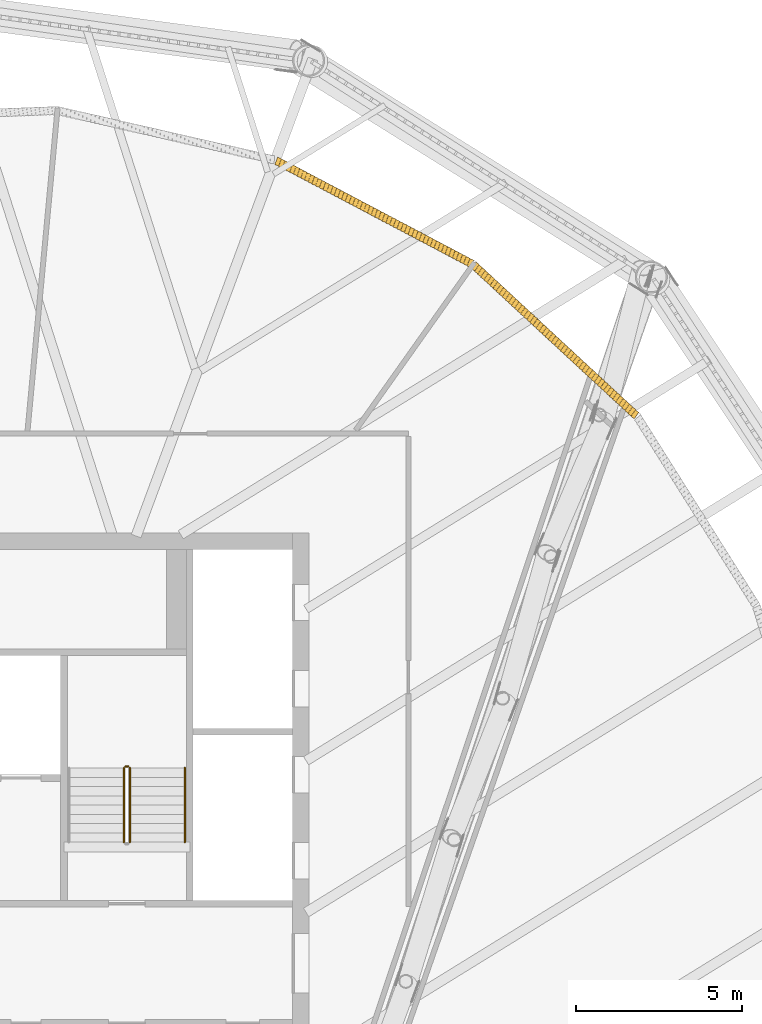
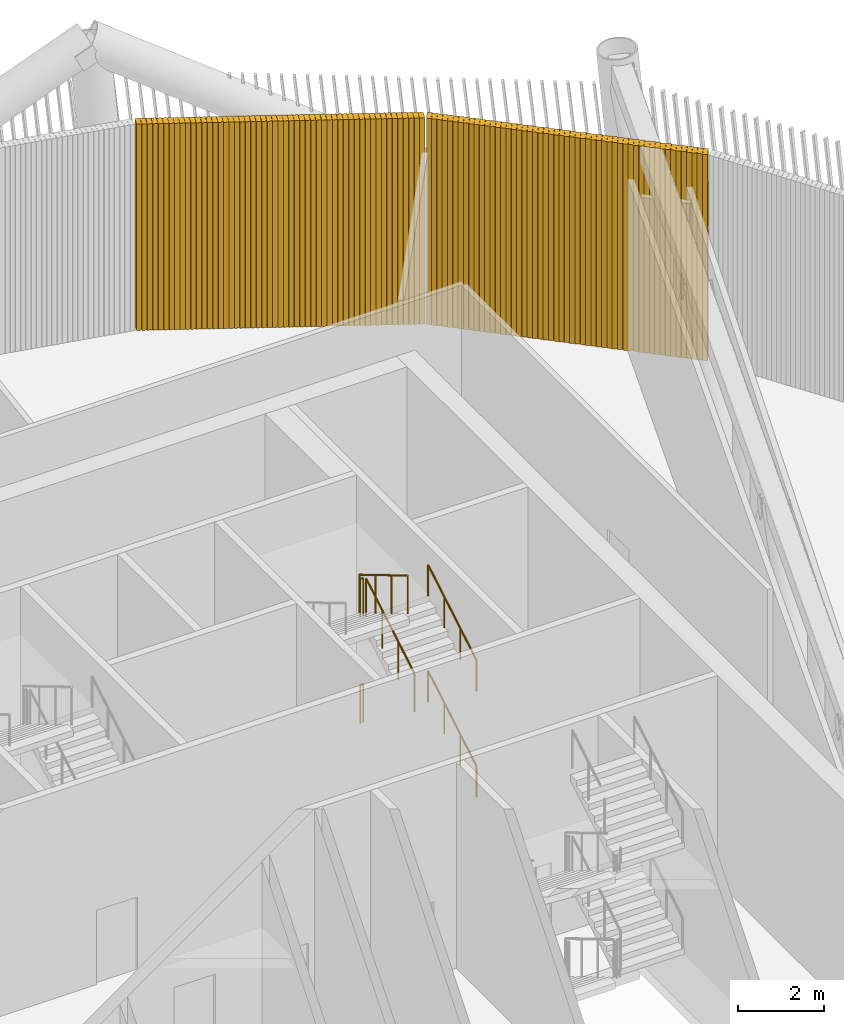
# One storey, part 36 of 40: 6 railings, 2 shading devices.
"""IFC4 building model written with IfcOpenShell, lengths in metres."""

import ifcopenshell
import ifcopenshell.guid

model = None  # the IFC model being written
_history = None  # IfcOwnerHistory: only IFC2X3 demands one
_inside = {}  # id of a spatial element -> (the spatial element, [elements in it])
_under = {}  # id of a project, library or spatial element -> (it, [spatial elements below it])
_declared = {}  # id of a project -> (the project, [libraries it declares])
_typed = {}  # id of a type object -> (the type object, [elements of that type])
_made_of = {}  # id of a material, layer set ... -> (it, [elements and type objects made of it])


def new_model(schema):
    """Start an empty IFC model of exactly this schema.

    Asked for "IFC4X3", IfcOpenShell would pick the latest addendum, in which some entities
    have other attributes; the version numbers below select the first issue.
    IFC2X3 requires an IfcOwnerHistory on every rooted entity: one is made here for all.
    """
    global model, _history
    if schema == "IFC4X3":
        model = ifcopenshell.file(schema_version=(4, 3, 0, 0))
    else:
        model = ifcopenshell.file(schema=schema)
    _inside.clear()
    _under.clear()
    _declared.clear()
    _typed.clear()
    _made_of.clear()
    _history = None
    if model.schema == "IFC2X3":
        org = make("IfcOrganization", Name="unknown")
        user = make(
            "IfcPersonAndOrganization",
            ThePerson=make("IfcPerson", FamilyName="unknown"),
            TheOrganization=org,
        )
        app = make(
            "IfcApplication",
            ApplicationDeveloper=org,
            Version="unknown",
            ApplicationFullName="unknown",
            ApplicationIdentifier="unknown",
        )
        _history = make(
            "IfcOwnerHistory",
            OwningUser=user,
            OwningApplication=app,
            ChangeAction="ADDED",
            CreationDate=0,
        )
    return model


def make(cls, **values):
    """One entity of the class cls with the attributes given. An attribute that is None is left unset."""
    return model.create_entity(
        cls, **{name: value for name, value in values.items() if value is not None}
    )


def rooted(cls, **values):
    """An entity with a GlobalId (a new one), such as an element, a storey or a relation."""
    return make(cls, GlobalId=ifcopenshell.guid.new(), OwnerHistory=_history, **values)


def si_unit(unit_type, name, prefix=None):
    """IfcSIUnit, for example si_unit("LENGTHUNIT", "METRE", prefix="MILLI")."""
    return make("IfcSIUnit", UnitType=unit_type, Prefix=prefix, Name=name)


def assignment(units):
    """IfcUnitAssignment: the units of a project."""
    return None if units is None else make("IfcUnitAssignment", Units=units)


def point(xyz):
    """IfcCartesianPoint."""
    return None if xyz is None else make("IfcCartesianPoint", Coordinates=xyz)


def direction(xyz):
    """IfcDirection."""
    return None if xyz is None else make("IfcDirection", DirectionRatios=xyz)


def frame(location, z_axis=None, x_axis=None):
    """IfcAxis2Placement3D, a coordinate frame: its origin and axes. An axis left out is left unset."""
    return make(
        "IfcAxis2Placement3D",
        Location=point(location),
        Axis=direction(z_axis),
        RefDirection=direction(x_axis),
    )


def frame_2d(location, x_axis=None):
    """IfcAxis2Placement2D, a coordinate frame in the plane: its origin and x axis."""
    return make(
        "IfcAxis2Placement2D", Location=point(location), RefDirection=direction(x_axis)
    )


def origin():
    """The frame at (0, 0, 0) with its axes left unset."""
    return frame((0.0, 0.0, 0.0))


def origin_2d():
    """The frame at (0, 0) in the plane with its x axis left unset."""
    return frame_2d((0.0, 0.0))


def place(relative_to, where):
    """IfcLocalPlacement: puts the frame where relative to a parent placement (None: the world)."""
    return make(
        "IfcLocalPlacement", PlacementRelTo=relative_to, RelativePlacement=where
    )


def context(
    kind, dimensions, precision=None, world=None, true_north=None, identifier=None
):
    """IfcGeometricRepresentationContext, for example the 3D "Model" context."""
    return make(
        "IfcGeometricRepresentationContext",
        ContextIdentifier=identifier,
        ContextType=kind,
        CoordinateSpaceDimension=dimensions,
        Precision=precision,
        WorldCoordinateSystem=world,
        TrueNorth=true_north,
    )


def subcontext(parent, identifier, kind, view, scale=None):
    """IfcGeometricRepresentationSubContext, for example "Body" below "Model"."""
    return make(
        "IfcGeometricRepresentationSubContext",
        ContextIdentifier=identifier,
        ContextType=kind,
        ParentContext=parent,
        TargetScale=scale,
        TargetView=view,
    )


def project(units=None, contexts=None):
    """IfcProject with its units and contexts."""
    return rooted(
        "IfcProject",
        Name="project",
        RepresentationContexts=contexts,
        UnitsInContext=assignment(units),
    )


def spatial(cls, under=None, at=None, **own):
    """A site, building, storey or space (cls), placed at a placement, below another one or the project."""
    s = rooted(cls, ObjectPlacement=at, **own)
    if under is not None:
        _under.setdefault(under.id(), (under, []))[1].append(s)
    return s


def profile(cls, at=None, kind="AREA", **sizes):
    """A parametric profile (cls). Its sizes go by their IFC names, for example OverallWidth=200.0."""
    return make(cls, ProfileType=kind, Position=at, **sizes)


def rectangle(**sizes):
    """IfcRectangleProfileDef."""
    return profile("IfcRectangleProfileDef", **sizes)


def circle(**sizes):
    """IfcCircleProfileDef."""
    return profile("IfcCircleProfileDef", **sizes)


def composite_profile(profiles, kind="AREA"):
    """IfcCompositeProfileDef: several profiles as one."""
    return make("IfcCompositeProfileDef", ProfileType=kind, Profiles=profiles)


def extrude(swept, where, along, depth):
    """IfcExtrudedAreaSolid: the profile swept, set in the frame where, extruded along a direction by depth."""
    return make(
        "IfcExtrudedAreaSolid",
        SweptArea=swept,
        Position=where,
        ExtrudedDirection=direction(along),
        Depth=depth,
    )


def shape(context_of_items, identifier, shape_type, items):
    """IfcShapeRepresentation: the items that make up one representation, for example the "Body"."""
    return make(
        "IfcShapeRepresentation",
        ContextOfItems=context_of_items,
        RepresentationIdentifier=identifier,
        RepresentationType=shape_type,
        Items=items,
    )


def material(Name=None, Category=None):
    """IfcMaterial."""
    return make("IfcMaterial", Name=Name, Category=Category)


def made_of(thing, what):
    """Note that an element or type object is made of a material, layer set ...; save() writes the relation."""
    if what is not None:
        _made_of.setdefault(what.id(), (what, []))[1].append(thing)
    return thing


def type_object(cls, material=None, **own):
    """A type object (cls), such as IfcWallType, which elements share."""
    return made_of(rooted(cls, **own), material)


def element(
    cls,
    number,
    at=None,
    inside=None,
    cuts=None,
    type_object=None,
    material=None,
    context=None,
    identifier="Body",
    shape_type=None,
    held_by="IfcProductDefinitionShape",
    body=None,
    shapes=None,
    **own,
):
    """One element of the class cls, such as IfcWall. Its Tag is "e" and its number.

    at: its placement. inside: the storey or other place that contains it. cuts: it is an
    opening in that element (IfcRelVoidsElement). A single representation is given by context,
    identifier, shape_type and body (its items); several are given by shapes. held_by: the class
    of the entity that holds the representations. save() writes the other relations.
    """
    e = rooted(cls, Tag="e%d" % number, ObjectPlacement=at, **own)
    if body is not None:
        shapes = [shape(context, identifier, shape_type, body)]
    if shapes is not None:
        e.Representation = make(held_by, Representations=shapes)
    if inside is not None:
        _inside.setdefault(inside.id(), (inside, []))[1].append(e)
    if cuts is not None:
        rooted(
            "IfcRelVoidsElement", RelatingBuildingElement=cuts, RelatedOpeningElement=e
        )
    if type_object is not None:
        _typed.setdefault(type_object.id(), (type_object, []))[1].append(e)
    return made_of(e, material)


def aggregate(whole, parts):
    """IfcRelAggregates: a whole, such as a stair, and the parts it consists of."""
    return rooted("IfcRelAggregates", RelatingObject=whole, RelatedObjects=parts)


def save(model, path):
    """Write the relations noted so far, then the file.

    IfcRelAggregates (storeys below a building ...), IfcRelContainedInSpatialStructure (elements
    in a storey), IfcRelDefinesByType, IfcRelAssociatesMaterial and IfcRelDeclares: one each for
    every whole, place, type object, material and project.
    """
    for whole, parts in _under.values():
        aggregate(whole, parts)
    for where, things in _inside.values():
        rooted(
            "IfcRelContainedInSpatialStructure",
            RelatedElements=things,
            RelatingStructure=where,
        )
    for kind, things in _typed.values():
        rooted("IfcRelDefinesByType", RelatedObjects=things, RelatingType=kind)
    for what, things in _made_of.values():
        rooted("IfcRelAssociatesMaterial", RelatedObjects=things, RelatingMaterial=what)
    for by, libraries in _declared.values():
        rooted("IfcRelDeclares", RelatingContext=by, RelatedDefinitions=libraries)
    model.write(path)


model = new_model("IFC4")

# Units and contexts
model_context = context("Model", 3, precision=1e-05, world=origin(), true_north=direction((0.0, 1.0)))
body_context = subcontext(model_context, "Body", "Model", "MODEL_VIEW")
ifc_project = project(units=[si_unit("LENGTHUNIT", "METRE"), si_unit("AREAUNIT", "SQUARE_METRE"), si_unit("VOLUMEUNIT", "CUBIC_METRE"), si_unit("PLANEANGLEUNIT", "RADIAN"), si_unit("MASSUNIT", "GRAM", prefix="KILO")], contexts=[model_context])

# Site, building, storey
site_placement = place(None, origin())
site = spatial("IfcSite", under=ifc_project, at=site_placement, CompositionType="ELEMENT")
building_placement = place(site_placement, origin())
building = spatial("IfcBuilding", under=site, at=building_placement, Name="Tarsis Ring Headquarters", CompositionType="ELEMENT")
storey_placement = place(building_placement, frame((0.0, 0.0, 354.800048828125)))
storey = spatial("IfcBuildingStorey", under=building, at=storey_placement, Name="L84", CompositionType="ELEMENT", Elevation=354.800048828125)

# Railings
ifc_material_1 = material(Name="Steel S355", Category="steel")
railing_type_1 = type_object("IfcRailingType", Name="Core stair guard 1100", PredefinedType="GUARDRAIL", material=ifc_material_1)
railing_1_placement = place(storey_placement, frame((4.5400390625, 5.949951171875, 1.5)))
element("IfcRailing", 1, at=railing_1_placement, inside=storey, type_object=railing_type_1, Name="L84 ST2 stair guard 2", PredefinedType="GUARDRAIL", context=body_context, shape_type="SweptSolid", body=[
    extrude(circle(Radius=0.02392578125, at=origin_2d()), frame((0.0, 0.0, 1.076171875), z_axis=(-1.0, 0.0, 0.0), x_axis=(0.0, -1.0, 0.0)), (0.0, 0.0, 1.0), 0.080078125),
    extrude(circle(Radius=0.02099609375, at=origin_2d()), origin(), (0.0, 0.0, 1.0), 1.052001953125),
    extrude(circle(Radius=0.02099609375, at=origin_2d()), frame((-0.080078125, 0.0, 0.0)), (0.0, 0.0, 1.0), 1.052001953125),
])
railing_2_placement = place(storey_placement, frame((4.590087890625, 3.659912109375, 3.16650390625)))
element("IfcRailing", 2, at=railing_2_placement, inside=storey, type_object=railing_type_1, Name="L84 ST2 stair guard 5", PredefinedType="GUARDRAIL", context=body_context, shape_type="SweptSolid", body=[
    extrude(circle(Radius=0.02392578125, at=origin_2d()), frame((0.0, 0.0, 1.076171875), z_axis=(0.0, 0.859264461869, 0.511531606619), x_axis=(-1.0, 0.0, 0.0)), (0.0, 0.0, 1.0), 2.60693359375),
    extrude(circle(Radius=0.02099609375, at=origin_2d()), origin(), (0.0, 0.0, 1.0), 1.052001953125),
    extrude(circle(Radius=0.02099609375, at=origin_2d()), frame((0.0, 0.74658203125, 0.444580078125)), (0.0, 0.0, 1.0), 1.052001953125),
    extrude(circle(Radius=0.02099609375, at=origin_2d()), frame((0.0, 1.493408203125, 0.888916015625)), (0.0, 0.0, 1.0), 1.052001953125),
    extrude(circle(Radius=0.02099609375, at=origin_2d()), frame((0.0, 2.239990234375, 1.33349609375)), (0.0, 0.0, 1.0), 1.052001953125),
])
railing_3_placement = place(storey_placement, frame((4.5400390625, 5.949951171875, 4.5)))
element("IfcRailing", 3, at=railing_3_placement, inside=storey, type_object=railing_type_1, Name="L84 ST2 stair guard 6", PredefinedType="GUARDRAIL", context=body_context, shape_type="SweptSolid", body=[
    extrude(circle(Radius=0.02392578125, at=origin_2d()), frame((0.0, 0.0, 1.076171875), z_axis=(-1.0, 0.0, 0.0), x_axis=(0.0, -1.0, 0.0)), (0.0, 0.0, 1.0), 0.080078125),
    extrude(circle(Radius=0.02099609375, at=origin_2d()), origin(), (0.0, 0.0, 1.0), 1.052001953125),
    extrude(circle(Radius=0.02099609375, at=origin_2d()), frame((-0.080078125, 0.0, 0.0)), (0.0, 0.0, 1.0), 1.052001953125),
])
railing_4_placement = place(storey_placement, frame((4.409912109375, 5.89990234375, 4.66650390625)))
element("IfcRailing", 4, at=railing_4_placement, inside=storey, type_object=railing_type_1, Name="L84 ST2 stair guard 7", PredefinedType="GUARDRAIL", context=body_context, shape_type="SweptSolid", body=[
    extrude(circle(Radius=0.02392578125, at=origin_2d()), frame((0.0, 0.0, 1.076171875), z_axis=(0.0, -0.859264461869, 0.511531606619), x_axis=(1.0, 0.0, 0.0)), (0.0, 0.0, 1.0), 2.60693359375),
    extrude(circle(Radius=0.02099609375, at=origin_2d()), origin(), (0.0, 0.0, 1.0), 1.052001953125),
    extrude(circle(Radius=0.02099609375, at=origin_2d()), frame((0.0, -0.74658203125, 0.444580078125)), (0.0, 0.0, 1.0), 1.052001953125),
    extrude(circle(Radius=0.02099609375, at=origin_2d()), frame((0.0, -1.493408203125, 0.888916015625)), (0.0, 0.0, 1.0), 1.052001953125),
    extrude(circle(Radius=0.02099609375, at=origin_2d()), frame((0.0, -2.239990234375, 1.33349609375)), (0.0, 0.0, 1.0), 1.052001953125),
])
railing_type_2 = type_object("IfcRailingType", Name="Core stair handrail 900", PredefinedType="HANDRAIL", material=ifc_material_1)
for number, where, name in (
    (5, (6.25, 3.659912109375, 0.16650390625), "L84 ST2 stair handrail 1"),
    (6, (6.25, 3.659912109375, 3.16650390625), "L84 ST2 stair handrail 3"),
):
    element("IfcRailing", number, at=place(storey_placement, frame(where)), inside=storey, type_object=railing_type_2, Name=name, PredefinedType="HANDRAIL", context=body_context, shape_type="SweptSolid", body=[
        extrude(circle(Radius=0.02392578125, at=origin_2d()), frame((0.0, 0.0, 0.8759765625), z_axis=(0.0, 0.859264461869, 0.511531606619), x_axis=(-1.0, 0.0, 0.0)), (0.0, 0.0, 1.0), 2.60693359375),
        extrude(circle(Radius=0.02099609375, at=origin_2d()), origin(), (0.0, 0.0, 1.0), 0.851806640625),
        extrude(circle(Radius=0.02099609375, at=origin_2d()), frame((0.0, 0.74658203125, 0.444580078125)), (0.0, 0.0, 1.0), 0.851806640625),
        extrude(circle(Radius=0.02099609375, at=origin_2d()), frame((0.0, 1.493408203125, 0.888916015625)), (0.0, 0.0, 1.0), 0.851806640625),
        extrude(circle(Radius=0.02099609375, at=origin_2d()), frame((0.0, 2.239990234375, 1.33349609375)), (0.0, 0.0, 1.0), 0.851806640625),
    ])

# Shading devices
ifc_material_2 = material(Name="Aluminium louvre", Category="aluminium")
shading_device_type = type_object("IfcShadingDeviceType", Name="Plant louvre fin", PredefinedType="USERDEFINED", material=ifc_material_2)
shading_device_1_placement = place(storey_placement, frame((19.901123046875, 16.53173828125, 0.0), z_axis=(0.0, 0.0, 1.0), x_axis=(-0.733500417711, 0.679706512658, 0.0)))
element("IfcShadingDevice", 7, at=shading_device_1_placement, inside=storey, type_object=shading_device_type, Name="Louvre L84-22", ObjectType="Louvre", PredefinedType="USERDEFINED", context=body_context, shape_type="SweptSolid", body=[
    extrude(composite_profile([rectangle(XDim=0.1201171875, YDim=0.239990234375, at=frame_2d((0.076171875, 0.0), x_axis=(0.990268068742, 0.13917310096))), rectangle(XDim=0.1201171875, YDim=0.239990234375, at=frame_2d((0.202392578125, 0.0), x_axis=(0.990268068742, 0.13917310096))), rectangle(XDim=0.1201171875, YDim=0.239990234375, at=frame_2d((0.328857421875, 0.0), x_axis=(0.990268068742, 0.13917310096))), rectangle(XDim=0.1201171875, YDim=0.239990234375, at=frame_2d((0.455078125, 0.0), x_axis=(0.990268068742, 0.13917310096))), rectangle(XDim=0.1201171875, YDim=0.239990234375, at=frame_2d((0.58154296875, 0.0), x_axis=(0.990268068742, 0.13917310096))), rectangle(XDim=0.1201171875, YDim=0.239990234375, at=frame_2d((0.707763671875, 0.0), x_axis=(0.990268068742, 0.13917310096))), rectangle(XDim=0.1201171875, YDim=0.239990234375, at=frame_2d((0.834228515625, 0.0), x_axis=(0.990268068742, 0.13917310096))), rectangle(XDim=0.1201171875, YDim=0.239990234375, at=frame_2d((0.96044921875, 0.0), x_axis=(0.990268068742, 0.13917310096))), rectangle(XDim=0.1201171875, YDim=0.239990234375, at=frame_2d((1.0869140625, 0.0), x_axis=(0.990268068742, 0.13917310096))), rectangle(XDim=0.1201171875, YDim=0.239990234375, at=frame_2d((1.213134765625, 0.0), x_axis=(0.990268068742, 0.13917310096))), rectangle(XDim=0.1201171875, YDim=0.239990234375, at=frame_2d((1.33935546875, 0.0), x_axis=(0.990268068742, 0.13917310096))), rectangle(XDim=0.1201171875, YDim=0.239990234375, at=frame_2d((1.4658203125, 0.0), x_axis=(0.990268068742, 0.13917310096))), rectangle(XDim=0.1201171875, YDim=0.239990234375, at=frame_2d((1.592041015625, 0.0), x_axis=(0.990268068742, 0.13917310096))), rectangle(XDim=0.1201171875, YDim=0.239990234375, at=frame_2d((1.718505859375, 0.0), x_axis=(0.990268068742, 0.13917310096))), rectangle(XDim=0.1201171875, YDim=0.239990234375, at=frame_2d((1.8447265625, 0.0), x_axis=(0.990268068742, 0.13917310096))), rectangle(XDim=0.1201171875, YDim=0.239990234375, at=frame_2d((1.97119140625, 0.0), x_axis=(0.990268068742, 0.13917310096))), rectangle(XDim=0.1201171875, YDim=0.239990234375, at=frame_2d((2.097412109375, 0.0), x_axis=(0.990268068742, 0.13917310096))), rectangle(XDim=0.1201171875, YDim=0.239990234375, at=frame_2d((2.223876953125, 0.0), x_axis=(0.990268068742, 0.13917310096))), rectangle(XDim=0.1201171875, YDim=0.239990234375, at=frame_2d((2.35009765625, 0.0), x_axis=(0.990268068742, 0.13917310096))), rectangle(XDim=0.1201171875, YDim=0.239990234375, at=frame_2d((2.476318359375, 0.0), x_axis=(0.990268068742, 0.13917310096))), rectangle(XDim=0.1201171875, YDim=0.239990234375, at=frame_2d((2.602783203125, 0.0), x_axis=(0.990268068742, 0.13917310096))), rectangle(XDim=0.1201171875, YDim=0.239990234375, at=frame_2d((2.72900390625, 0.0), x_axis=(0.990268068742, 0.13917310096))), rectangle(XDim=0.1201171875, YDim=0.239990234375, at=frame_2d((2.85546875, 0.0), x_axis=(0.990268068742, 0.13917310096))), rectangle(XDim=0.1201171875, YDim=0.239990234375, at=frame_2d((2.981689453125, 0.0), x_axis=(0.990268068742, 0.13917310096))), rectangle(XDim=0.1201171875, YDim=0.239990234375, at=frame_2d((3.108154296875, 0.0), x_axis=(0.990268068742, 0.13917310096))), rectangle(XDim=0.1201171875, YDim=0.239990234375, at=frame_2d((3.234375, 0.0), x_axis=(0.990268068742, 0.13917310096))), rectangle(XDim=0.1201171875, YDim=0.239990234375, at=frame_2d((3.36083984375, 0.0), x_axis=(0.990268068742, 0.13917310096))), rectangle(XDim=0.1201171875, YDim=0.239990234375, at=frame_2d((3.487060546875, 0.0), x_axis=(0.990268068742, 0.13917310096))), rectangle(XDim=0.1201171875, YDim=0.239990234375, at=frame_2d((3.61328125, 0.0), x_axis=(0.990268068742, 0.13917310096))), rectangle(XDim=0.1201171875, YDim=0.239990234375, at=frame_2d((3.73974609375, 0.0), x_axis=(0.990268068742, 0.13917310096))), rectangle(XDim=0.1201171875, YDim=0.239990234375, at=frame_2d((3.865966796875, 0.0), x_axis=(0.990268068742, 0.13917310096))), rectangle(XDim=0.1201171875, YDim=0.239990234375, at=frame_2d((3.992431640625, 0.0), x_axis=(0.990268068742, 0.13917310096))), rectangle(XDim=0.1201171875, YDim=0.239990234375, at=frame_2d((4.11865234375, 0.0), x_axis=(0.990268068742, 0.13917310096))), rectangle(XDim=0.1201171875, YDim=0.239990234375, at=frame_2d((4.2451171875, 0.0), x_axis=(0.990268068742, 0.13917310096))), rectangle(XDim=0.1201171875, YDim=0.239990234375, at=frame_2d((4.371337890625, 0.0), x_axis=(0.990268068742, 0.13917310096))), rectangle(XDim=0.1201171875, YDim=0.239990234375, at=frame_2d((4.49755859375, 0.0), x_axis=(0.990268068742, 0.13917310096))), rectangle(XDim=0.1201171875, YDim=0.239990234375, at=frame_2d((4.6240234375, 0.0), x_axis=(0.990268068742, 0.13917310096))), rectangle(XDim=0.1201171875, YDim=0.239990234375, at=frame_2d((4.750244140625, 0.0), x_axis=(0.990268068742, 0.13917310096))), rectangle(XDim=0.1201171875, YDim=0.239990234375, at=frame_2d((4.876708984375, 0.0), x_axis=(0.990268068742, 0.13917310096))), rectangle(XDim=0.1201171875, YDim=0.239990234375, at=frame_2d((5.0029296875, 0.0), x_axis=(0.990268068742, 0.13917310096))), rectangle(XDim=0.1201171875, YDim=0.239990234375, at=frame_2d((5.12939453125, 0.0), x_axis=(0.990268068742, 0.13917310096))), rectangle(XDim=0.1201171875, YDim=0.239990234375, at=frame_2d((5.255615234375, 0.0), x_axis=(0.990268068742, 0.13917310096))), rectangle(XDim=0.1201171875, YDim=0.239990234375, at=frame_2d((5.382080078125, 0.0), x_axis=(0.990268068742, 0.13917310096))), rectangle(XDim=0.1201171875, YDim=0.239990234375, at=frame_2d((5.50830078125, 0.0), x_axis=(0.990268068742, 0.13917310096))), rectangle(XDim=0.1201171875, YDim=0.239990234375, at=frame_2d((5.634521484375, 0.0), x_axis=(0.990268068742, 0.13917310096))), rectangle(XDim=0.1201171875, YDim=0.239990234375, at=frame_2d((5.760986328125, 0.0), x_axis=(0.990268068742, 0.13917310096))), rectangle(XDim=0.1201171875, YDim=0.239990234375, at=frame_2d((5.88720703125, 0.0), x_axis=(0.990268068742, 0.13917310096))), rectangle(XDim=0.1201171875, YDim=0.239990234375, at=frame_2d((6.013671875, 0.0), x_axis=(0.990268068742, 0.13917310096))), rectangle(XDim=0.1201171875, YDim=0.239990234375, at=frame_2d((6.139892578125, 0.0), x_axis=(0.990268068742, 0.13917310096))), rectangle(XDim=0.1201171875, YDim=0.239990234375, at=frame_2d((6.266357421875, 0.0), x_axis=(0.990268068742, 0.13917310096))), rectangle(XDim=0.1201171875, YDim=0.239990234375, at=frame_2d((6.392578125, 0.0), x_axis=(0.990268068742, 0.13917310096))), rectangle(XDim=0.1201171875, YDim=0.239990234375, at=frame_2d((6.51904296875, 0.0), x_axis=(0.990268068742, 0.13917310096))), rectangle(XDim=0.1201171875, YDim=0.239990234375, at=frame_2d((6.645263671875, 0.0), x_axis=(0.990268068742, 0.13917310096)))]), origin(), (0.0, 0.0, 1.0), 5.83984375),
])
shading_device_2_placement = place(storey_placement, frame((14.9443359375, 21.119140625, 0.0), z_axis=(0.0, 0.0, 1.0), x_axis=(-0.884425395903, 0.466693302339, 0.0)))
element("IfcShadingDevice", 8, at=shading_device_2_placement, inside=storey, type_object=shading_device_type, Name="Louvre L84-23", ObjectType="Louvre", PredefinedType="USERDEFINED", context=body_context, shape_type="SweptSolid", body=[
    extrude(composite_profile([rectangle(XDim=0.1201171875, YDim=0.239990234375, at=frame_2d((0.076171875, 0.0), x_axis=(0.990268068742, 0.13917310096))), rectangle(XDim=0.1201171875, YDim=0.239990234375, at=frame_2d((0.202392578125, 0.0), x_axis=(0.990268068742, 0.13917310096))), rectangle(XDim=0.1201171875, YDim=0.239990234375, at=frame_2d((0.328857421875, 0.0), x_axis=(0.990268068742, 0.13917310096))), rectangle(XDim=0.1201171875, YDim=0.239990234375, at=frame_2d((0.455078125, 0.0), x_axis=(0.990268068742, 0.13917310096))), rectangle(XDim=0.1201171875, YDim=0.239990234375, at=frame_2d((0.58154296875, 0.0), x_axis=(0.990268068742, 0.13917310096))), rectangle(XDim=0.1201171875, YDim=0.239990234375, at=frame_2d((0.707763671875, 0.0), x_axis=(0.990268068742, 0.13917310096))), rectangle(XDim=0.1201171875, YDim=0.239990234375, at=frame_2d((0.834228515625, 0.0), x_axis=(0.990268068742, 0.13917310096))), rectangle(XDim=0.1201171875, YDim=0.239990234375, at=frame_2d((0.96044921875, 0.0), x_axis=(0.990268068742, 0.13917310096))), rectangle(XDim=0.1201171875, YDim=0.239990234375, at=frame_2d((1.0869140625, 0.0), x_axis=(0.990268068742, 0.13917310096))), rectangle(XDim=0.1201171875, YDim=0.239990234375, at=frame_2d((1.213134765625, 0.0), x_axis=(0.990268068742, 0.13917310096))), rectangle(XDim=0.1201171875, YDim=0.239990234375, at=frame_2d((1.339599609375, 0.0), x_axis=(0.990268068742, 0.13917310096))), rectangle(XDim=0.1201171875, YDim=0.239990234375, at=frame_2d((1.4658203125, 0.0), x_axis=(0.990268068742, 0.13917310096))), rectangle(XDim=0.1201171875, YDim=0.239990234375, at=frame_2d((1.59228515625, 0.0), x_axis=(0.990268068742, 0.13917310096))), rectangle(XDim=0.1201171875, YDim=0.239990234375, at=frame_2d((1.718505859375, 0.0), x_axis=(0.990268068742, 0.13917310096))), rectangle(XDim=0.1201171875, YDim=0.239990234375, at=frame_2d((1.8447265625, 0.0), x_axis=(0.990268068742, 0.13917310096))), rectangle(XDim=0.1201171875, YDim=0.239990234375, at=frame_2d((1.97119140625, 0.0), x_axis=(0.990268068742, 0.13917310096))), rectangle(XDim=0.1201171875, YDim=0.239990234375, at=frame_2d((2.097412109375, 0.0), x_axis=(0.990268068742, 0.13917310096))), rectangle(XDim=0.1201171875, YDim=0.239990234375, at=frame_2d((2.223876953125, 0.0), x_axis=(0.990268068742, 0.13917310096))), rectangle(XDim=0.1201171875, YDim=0.239990234375, at=frame_2d((2.35009765625, 0.0), x_axis=(0.990268068742, 0.13917310096))), rectangle(XDim=0.1201171875, YDim=0.239990234375, at=frame_2d((2.4765625, 0.0), x_axis=(0.990268068742, 0.13917310096))), rectangle(XDim=0.1201171875, YDim=0.239990234375, at=frame_2d((2.602783203125, 0.0), x_axis=(0.990268068742, 0.13917310096))), rectangle(XDim=0.1201171875, YDim=0.239990234375, at=frame_2d((2.729248046875, 0.0), x_axis=(0.990268068742, 0.13917310096))), rectangle(XDim=0.1201171875, YDim=0.239990234375, at=frame_2d((2.85546875, 0.0), x_axis=(0.990268068742, 0.13917310096))), rectangle(XDim=0.1201171875, YDim=0.239990234375, at=frame_2d((2.98193359375, 0.0), x_axis=(0.990268068742, 0.13917310096))), rectangle(XDim=0.1201171875, YDim=0.239990234375, at=frame_2d((3.108154296875, 0.0), x_axis=(0.990268068742, 0.13917310096))), rectangle(XDim=0.1201171875, YDim=0.239990234375, at=frame_2d((3.234619140625, 0.0), x_axis=(0.990268068742, 0.13917310096))), rectangle(XDim=0.1201171875, YDim=0.239990234375, at=frame_2d((3.36083984375, 0.0), x_axis=(0.990268068742, 0.13917310096))), rectangle(XDim=0.1201171875, YDim=0.239990234375, at=frame_2d((3.487060546875, 0.0), x_axis=(0.990268068742, 0.13917310096))), rectangle(XDim=0.1201171875, YDim=0.239990234375, at=frame_2d((3.613525390625, 0.0), x_axis=(0.990268068742, 0.13917310096))), rectangle(XDim=0.1201171875, YDim=0.239990234375, at=frame_2d((3.73974609375, 0.0), x_axis=(0.990268068742, 0.13917310096))), rectangle(XDim=0.1201171875, YDim=0.239990234375, at=frame_2d((3.8662109375, 0.0), x_axis=(0.990268068742, 0.13917310096))), rectangle(XDim=0.1201171875, YDim=0.239990234375, at=frame_2d((3.992431640625, 0.0), x_axis=(0.990268068742, 0.13917310096))), rectangle(XDim=0.1201171875, YDim=0.239990234375, at=frame_2d((4.118896484375, 0.0), x_axis=(0.990268068742, 0.13917310096))), rectangle(XDim=0.1201171875, YDim=0.239990234375, at=frame_2d((4.2451171875, 0.0), x_axis=(0.990268068742, 0.13917310096))), rectangle(XDim=0.1201171875, YDim=0.239990234375, at=frame_2d((4.37158203125, 0.0), x_axis=(0.990268068742, 0.13917310096))), rectangle(XDim=0.1201171875, YDim=0.239990234375, at=frame_2d((4.497802734375, 0.0), x_axis=(0.990268068742, 0.13917310096))), rectangle(XDim=0.1201171875, YDim=0.239990234375, at=frame_2d((4.624267578125, 0.0), x_axis=(0.990268068742, 0.13917310096))), rectangle(XDim=0.1201171875, YDim=0.239990234375, at=frame_2d((4.75048828125, 0.0), x_axis=(0.990268068742, 0.13917310096))), rectangle(XDim=0.1201171875, YDim=0.239990234375, at=frame_2d((4.876953125, 0.0), x_axis=(0.990268068742, 0.13917310096))), rectangle(XDim=0.1201171875, YDim=0.239990234375, at=frame_2d((5.003173828125, 0.0), x_axis=(0.990268068742, 0.13917310096))), rectangle(XDim=0.1201171875, YDim=0.239990234375, at=frame_2d((5.12939453125, 0.0), x_axis=(0.990268068742, 0.13917310096))), rectangle(XDim=0.1201171875, YDim=0.239990234375, at=frame_2d((5.255859375, 0.0), x_axis=(0.990268068742, 0.13917310096))), rectangle(XDim=0.1201171875, YDim=0.239990234375, at=frame_2d((5.382080078125, 0.0), x_axis=(0.990268068742, 0.13917310096))), rectangle(XDim=0.1201171875, YDim=0.239990234375, at=frame_2d((5.508544921875, 0.0), x_axis=(0.990268068742, 0.13917310096))), rectangle(XDim=0.1201171875, YDim=0.239990234375, at=frame_2d((5.634765625, 0.0), x_axis=(0.990268068742, 0.13917310096))), rectangle(XDim=0.1201171875, YDim=0.239990234375, at=frame_2d((5.76123046875, 0.0), x_axis=(0.990268068742, 0.13917310096))), rectangle(XDim=0.1201171875, YDim=0.239990234375, at=frame_2d((5.887451171875, 0.0), x_axis=(0.990268068742, 0.13917310096))), rectangle(XDim=0.1201171875, YDim=0.239990234375, at=frame_2d((6.013916015625, 0.0), x_axis=(0.990268068742, 0.13917310096))), rectangle(XDim=0.1201171875, YDim=0.239990234375, at=frame_2d((6.14013671875, 0.0), x_axis=(0.990268068742, 0.13917310096))), rectangle(XDim=0.1201171875, YDim=0.239990234375, at=frame_2d((6.2666015625, 0.0), x_axis=(0.990268068742, 0.13917310096))), rectangle(XDim=0.1201171875, YDim=0.239990234375, at=frame_2d((6.392822265625, 0.0), x_axis=(0.990268068742, 0.13917310096))), rectangle(XDim=0.1201171875, YDim=0.239990234375, at=frame_2d((6.519287109375, 0.0), x_axis=(0.990268068742, 0.13917310096))), rectangle(XDim=0.1201171875, YDim=0.239990234375, at=frame_2d((6.6455078125, 0.0), x_axis=(0.990268068742, 0.13917310096)))]), origin(), (0.0, 0.0, 1.0), 5.83984375),
])

save(model, "model.ifc")
